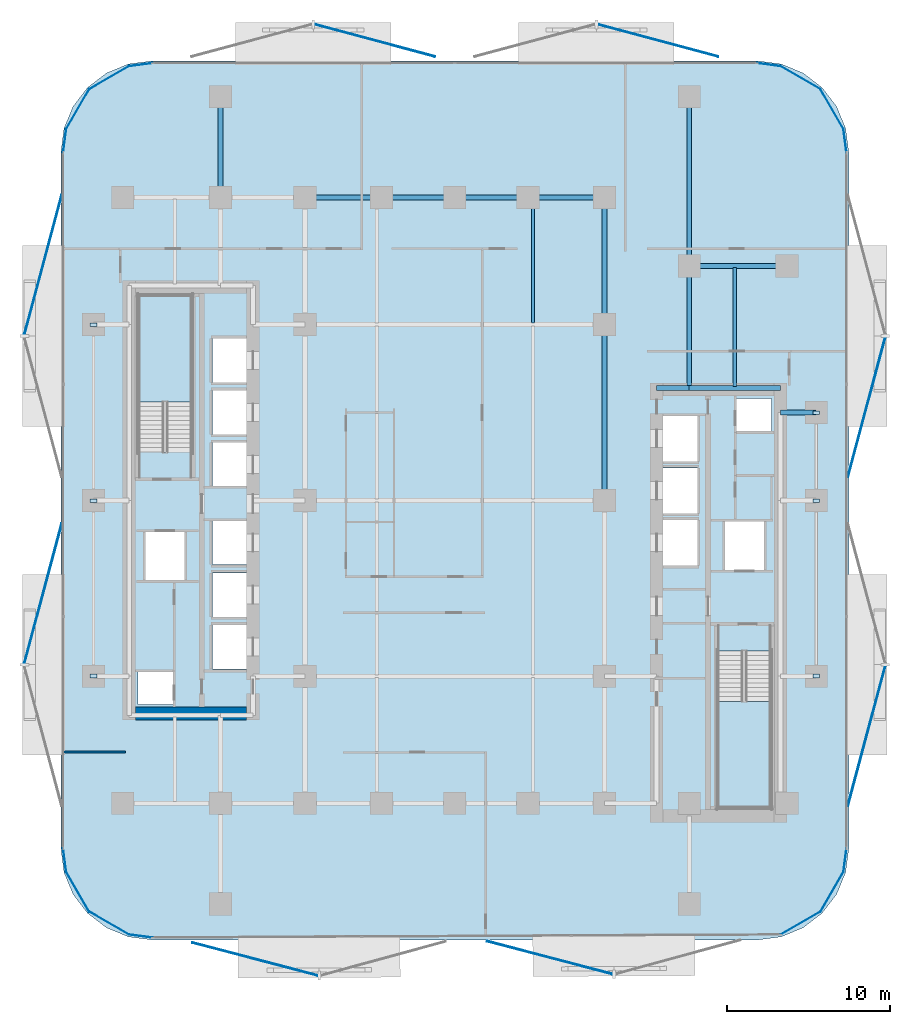
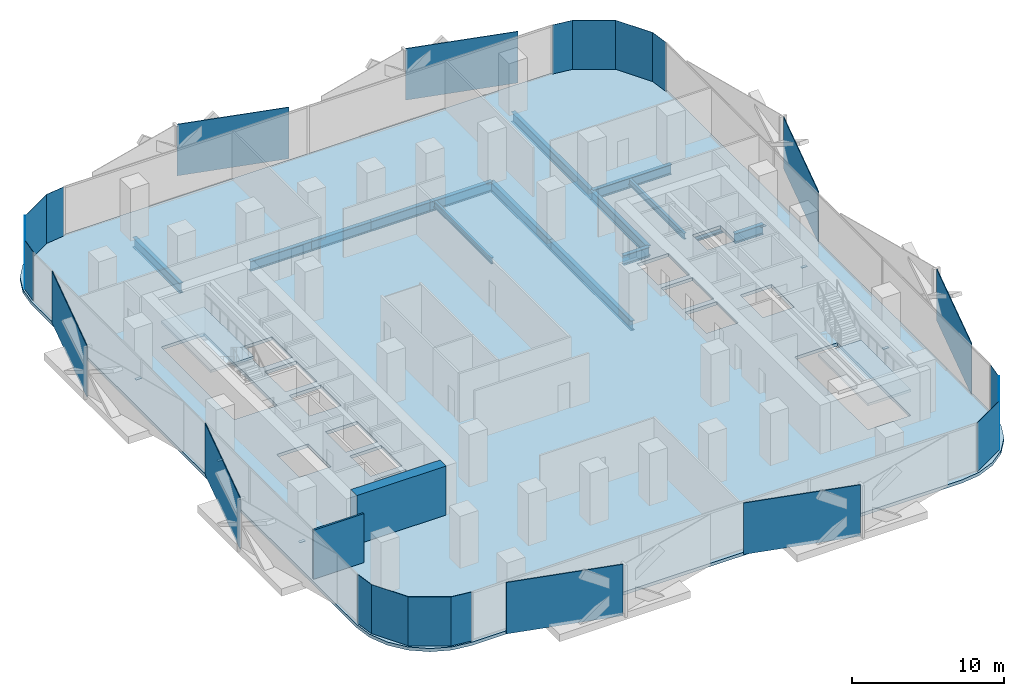
# One storey, part 2 of 15: 29 plates, 15 beams, 3 slabs, 2 walls, 2 elements without a shape of their own.
"""IFC4 building model written with IfcOpenShell, lengths in metres."""

from ifc_helpers import new_model, si_unit, direction, frame, frame_2d, origin, origin_2d, place, context, subcontext, project, spatial, polyline, rectangle, i_section, outline, extrude, material, layer, layer_set, material_profile, profile_set, type_object, element, aggregate, save


model = new_model("IFC4")

# Units and contexts
model_context = context("Model", 3, precision=1e-05, world=origin(), true_north=direction((0.0, 1.0)))
body_context = subcontext(model_context, "Body", "Model", "MODEL_VIEW")
ifc_project = project(units=[si_unit("LENGTHUNIT", "METRE"), si_unit("AREAUNIT", "SQUARE_METRE"), si_unit("VOLUMEUNIT", "CUBIC_METRE"), si_unit("PLANEANGLEUNIT", "RADIAN"), si_unit("MASSUNIT", "GRAM", prefix="KILO")], contexts=[model_context])

# Site, building, storey
site_placement = place(None, origin())
site = spatial("IfcSite", under=ifc_project, at=site_placement, CompositionType="ELEMENT")
building_placement = place(site_placement, origin())
building = spatial("IfcBuilding", under=site, at=building_placement, Name="Khairoan Windgate Tower", CompositionType="ELEMENT")
storey_placement = place(building_placement, frame((0.0, 0.0, 68.0)))
storey = spatial("IfcBuildingStorey", under=building, at=storey_placement, Name="L16", CompositionType="ELEMENT", Elevation=68.0)

# Beams
ifc_material_1 = material(Name="Steel S355", Category="steel")
ifc_material_profile_1 = material_profile(ifc_material_1, i_section(OverallWidth=0.300048828125, OverallDepth=0.800048828125, WebThickness=0.013916015625, FlangeThickness=0.02587890625, FilletRadius=0.028076171875, at=origin_2d()))
ifc_profile_set_1 = profile_set([ifc_material_profile_1], Name="Steel S355")
beam_type_1 = type_object("IfcBeamType", Name="Beam B-G2 H800x300x14x26", PredefinedType="BEAM", material=ifc_profile_set_1)
beam_1_placement = place(storey_placement, frame((20.0, 5.39990234375, -0.659912109375), z_axis=(1.0, 0.0, 0.0), x_axis=(0.0, 1.0, 0.0)))
element("IfcBeam", 1, at=beam_1_placement, inside=storey, type_object=beam_type_1, Name="L16 E-W Primary Girder 19", PredefinedType="BEAM", context=body_context, shape_type="SweptSolid", body=[
    extrude(i_section(OverallWidth=0.300048828125, OverallDepth=0.800048828125, WebThickness=0.013916015625, FlangeThickness=0.02587890625, FilletRadius=0.028076171875, at=origin_2d()), origin(), (0.0, 0.0, 1.0), 2.199951171875),
])
beam_2_placement = place(storey_placement, frame((12.39990234375, 6.89990234375, -0.659912109375), z_axis=(1.0, 0.0, 0.0), x_axis=(0.0, 1.0, 0.0)))
element("IfcBeam", 2, at=beam_2_placement, inside=storey, type_object=beam_type_1, Name="L16 E-W Primary Girder 20", PredefinedType="BEAM", context=body_context, shape_type="SweptSolid", body=[
    extrude(i_section(OverallWidth=0.300048828125, OverallDepth=0.800048828125, WebThickness=0.013916015625, FlangeThickness=0.02587890625, FilletRadius=0.028076171875, at=origin_2d()), origin(), (0.0, 0.0, 1.0), 2.0),
])
beam_3_placement = place(storey_placement, frame((14.39990234375, 6.89990234375, -0.659912109375), z_axis=(1.0, 0.0, 0.0), x_axis=(0.0, 1.0, 0.0)))
element("IfcBeam", 3, at=beam_3_placement, inside=storey, type_object=beam_type_1, Name="L16 E-W Primary Girder 21", PredefinedType="BEAM", context=body_context, shape_type="SweptSolid", body=[
    extrude(i_section(OverallWidth=0.300048828125, OverallDepth=0.800048828125, WebThickness=0.013916015625, FlangeThickness=0.02587890625, FilletRadius=0.028076171875, at=origin_2d()), origin(), (0.0, 0.0, 1.0), 5.60009765625),
])
beam_4_placement = place(storey_placement, frame((14.39990234375, 14.39990234375, -0.659912109375), z_axis=(1.0, 0.0, 0.0), x_axis=(0.0, 1.0, 0.0)))
element("IfcBeam", 4, at=beam_4_placement, inside=storey, type_object=beam_type_1, Name="L16 E-W Primary Girder 27", PredefinedType="BEAM", context=body_context, shape_type="SweptSolid", body=[
    extrude(i_section(OverallWidth=0.300048828125, OverallDepth=0.800048828125, WebThickness=0.013916015625, FlangeThickness=0.02587890625, FilletRadius=0.028076171875, at=origin_2d()), origin(), (0.0, 0.0, 1.0), 6.0),
])
beam_5_placement = place(storey_placement, frame((-9.199951171875, 18.60009765625, -0.659912109375), z_axis=(1.0, 0.0, 0.0), x_axis=(0.0, 1.0, 0.0)))
element("IfcBeam", 5, at=beam_5_placement, inside=storey, type_object=beam_type_1, Name="L16 E-W Primary Girder 30", PredefinedType="BEAM", context=body_context, shape_type="SweptSolid", body=[
    extrude(i_section(OverallWidth=0.300048828125, OverallDepth=0.800048828125, WebThickness=0.013916015625, FlangeThickness=0.02587890625, FilletRadius=0.028076171875, at=origin_2d()), origin(), (0.0, 0.0, 1.0), 4.699951171875),
])
for number, where, z_axis, x_axis, name in (
    (6, (-4.5, 18.60009765625, -0.659912109375), (1.0, 0.0, 0.0), (0.0, 1.0, 0.0), "L16 E-W Primary Girder 31"),
    (7, (0.0, 18.60009765625, -0.659912109375), (1.0, 0.0, 0.0), (0.0, 1.0, 0.0), "L16 E-W Primary Girder 32"),
):
    element("IfcBeam", number, at=place(storey_placement, frame(where, z_axis=z_axis, x_axis=x_axis)), inside=storey, type_object=beam_type_1, Name=name, PredefinedType="BEAM", context=body_context, shape_type="SweptSolid", body=[
        extrude(i_section(OverallWidth=0.300048828125, OverallDepth=0.800048828125, WebThickness=0.013916015625, FlangeThickness=0.02587890625, FilletRadius=0.028076171875, at=origin_2d()), origin(), (0.0, 0.0, 1.0), 4.5),
    ])
beam_6_placement = place(storey_placement, frame((4.5, 18.60009765625, -0.659912109375), z_axis=(1.0, 0.0, 0.0), x_axis=(0.0, 1.0, 0.0)))
element("IfcBeam", 8, at=beam_6_placement, inside=storey, type_object=beam_type_1, Name="L16 E-W Primary Girder 33", PredefinedType="BEAM", context=body_context, shape_type="SweptSolid", body=[
    extrude(i_section(OverallWidth=0.300048828125, OverallDepth=0.800048828125, WebThickness=0.013916015625, FlangeThickness=0.02587890625, FilletRadius=0.028076171875, at=origin_2d()), origin(), (0.0, 0.0, 1.0), 4.699951171875),
])
beam_7_placement = place(storey_placement, frame((-14.39990234375, 18.60009765625, -0.659912109375), z_axis=(0.0, 1.0, 0.0), x_axis=(-1.0, 0.0, 0.0)))
element("IfcBeam", 9, at=beam_7_placement, inside=storey, type_object=beam_type_1, Name="L16 N-S Primary Beam 43", PredefinedType="BEAM", context=body_context, shape_type="SweptSolid", body=[
    extrude(i_section(OverallWidth=0.300048828125, OverallDepth=0.800048828125, WebThickness=0.013916015625, FlangeThickness=0.02587890625, FilletRadius=0.028076171875, at=origin_2d()), origin(), (0.0, 0.0, 1.0), 6.199951171875),
])
beam_8_placement = place(storey_placement, frame((9.199951171875, 0.0, -0.659912109375), z_axis=(0.0, 1.0, 0.0), x_axis=(-1.0, 0.0, 0.0)))
element("IfcBeam", 10, at=beam_8_placement, inside=storey, type_object=beam_type_1, Name="L16 N-S Primary Beam 52", PredefinedType="BEAM", context=body_context, shape_type="SweptSolid", body=[
    extrude(i_section(OverallWidth=0.300048828125, OverallDepth=0.800048828125, WebThickness=0.013916015625, FlangeThickness=0.02587890625, FilletRadius=0.028076171875, at=origin_2d()), origin(), (0.0, 0.0, 1.0), 10.800048828125),
])
beam_9_placement = place(storey_placement, frame((9.199951171875, 10.800048828125, -0.659912109375), z_axis=(0.0, 1.0, 0.0), x_axis=(-1.0, 0.0, 0.0)))
element("IfcBeam", 11, at=beam_9_placement, inside=storey, type_object=beam_type_1, Name="L16 N-S Primary Beam 53", PredefinedType="BEAM", context=body_context, shape_type="SweptSolid", body=[
    extrude(i_section(OverallWidth=0.300048828125, OverallDepth=0.800048828125, WebThickness=0.013916015625, FlangeThickness=0.02587890625, FilletRadius=0.028076171875, at=origin_2d()), origin(), (0.0, 0.0, 1.0), 7.800048828125),
])
beam_10_placement = place(storey_placement, frame((14.39990234375, 6.89990234375, -0.659912109375), z_axis=(0.0, 1.0, 0.0), x_axis=(-1.0, 0.0, 0.0)))
element("IfcBeam", 12, at=beam_10_placement, inside=storey, type_object=beam_type_1, Name="L16 N-S Primary Beam 56", PredefinedType="BEAM", context=body_context, shape_type="SweptSolid", body=[
    extrude(i_section(OverallWidth=0.300048828125, OverallDepth=0.800048828125, WebThickness=0.013916015625, FlangeThickness=0.02587890625, FilletRadius=0.028076171875, at=origin_2d()), origin(), (0.0, 0.0, 1.0), 7.5),
])
beam_11_placement = place(storey_placement, frame((14.39990234375, 14.39990234375, -0.659912109375), z_axis=(0.0, 1.0, 0.0), x_axis=(-1.0, 0.0, 0.0)))
element("IfcBeam", 13, at=beam_11_placement, inside=storey, type_object=beam_type_1, Name="L16 N-S Primary Beam 57", PredefinedType="BEAM", context=body_context, shape_type="SweptSolid", body=[
    extrude(i_section(OverallWidth=0.300048828125, OverallDepth=0.800048828125, WebThickness=0.013916015625, FlangeThickness=0.02587890625, FilletRadius=0.028076171875, at=origin_2d()), origin(), (0.0, 0.0, 1.0), 10.400146484375),
])
ifc_material_2 = material(Name="Steel S355", Category="steel")
ifc_material_profile_2 = material_profile(ifc_material_2, i_section(OverallWidth=0.199951171875, OverallDepth=0.5, WebThickness=0.010009765625, FlangeThickness=0.01611328125, FilletRadius=0.02001953125, at=origin_2d()))
ifc_profile_set_2 = profile_set([ifc_material_profile_2], Name="Steel S355")
beam_type_2 = type_object("IfcBeamType", Name="Beam J-S2 H500x200x10x16", PredefinedType="JOIST", material=ifc_profile_set_2)
beam_12_placement = place(storey_placement, frame((4.800048828125, 10.889892578125, -0.510009765625), z_axis=(0.0, 1.0, 0.0), x_axis=(-1.0, 0.0, 0.0)))
element("IfcBeam", 14, at=beam_12_placement, inside=storey, type_object=beam_type_2, Name="L16 Secondary Floor Joist 10", PredefinedType="JOIST", context=body_context, shape_type="SweptSolid", body=[
    extrude(i_section(OverallWidth=0.199951171875, OverallDepth=0.5, WebThickness=0.010009765625, FlangeThickness=0.01611328125, FilletRadius=0.02001953125, at=origin_2d()), origin(), (0.0, 0.0, 1.0), 7.6201171875),
])
beam_13_placement = place(storey_placement, frame((17.199951171875, 6.989990234375, -0.510009765625), z_axis=(0.0, 1.0, 0.0), x_axis=(-1.0, 0.0, 0.0)))
element("IfcBeam", 15, at=beam_13_placement, inside=storey, type_object=beam_type_2, Name="L16 Secondary Floor Joist 11", PredefinedType="JOIST", context=body_context, shape_type="SweptSolid", body=[
    extrude(i_section(OverallWidth=0.199951171875, OverallDepth=0.5, WebThickness=0.010009765625, FlangeThickness=0.01611328125, FilletRadius=0.02001953125, at=origin_2d()), origin(), (0.0, 0.0, 1.0), 7.320068359375),
])

# Plates
ifc_material_3 = material(Name="Low-E Solar Control Laminated Glass", Category="glass")
ifc_layer_1 = layer(ifc_material_3, 0.030029296875, Name="Low-E Solar Control Laminated Glass")
ifc_layer_set_1 = layer_set([ifc_layer_1], Name="Low-E Solar Control Laminated Glass")
plate_type_1 = type_object("IfcPlateType", Name="Aerodynamic Wind-Corner Curved Glazing Plate", PredefinedType="USERDEFINED", material=ifc_layer_set_1)
plate_placement = place(storey_placement, frame((-19.302001953125, -26.766357421875, 0.0), z_axis=(0.0, 0.0, 1.0), x_axis=(-0.991444861374, 0.13052619222, 0.0)))
element("IfcPlate", 16, at=plate_placement, inside=storey, type_object=plate_type_1, Name="L16 Aerodynamic Wind-Corner Curved Glazing Panel 2", ObjectType="GLAZING PANEL", PredefinedType="USERDEFINED", context=body_context, shape_type="SweptSolid", body=[
    extrude(rectangle(XDim=1.474365234375, YDim=0.028076171875, at=origin_2d()), origin(), (0.0, 0.0, 1.0), 3.93994140625),
])
for number, where, z_axis, x_axis, name in (
    (17, (-21.236328125, -25.96630859375, 0.0), (0.0, 0.0, 1.0), (-0.866025403784, 0.5, 0.0), "L16 Aerodynamic Wind-Corner Curved Glazing Panel 3"),
    (18, (-23.16650390625, -24.03662109375, 0.0), (0.0, 0.0, 1.0), (-0.5, 0.866025403784, 0.0), "L16 Aerodynamic Wind-Corner Curved Glazing Panel 4"),
):
    element("IfcPlate", number, at=place(storey_placement, frame(where, z_axis=z_axis, x_axis=x_axis)), inside=storey, type_object=plate_type_1, Name=name, ObjectType="GLAZING PANEL", PredefinedType="USERDEFINED", context=body_context, shape_type="SweptSolid", body=[
        extrude(rectangle(XDim=2.86572265625, YDim=0.028076171875, at=origin_2d()), origin(), (0.0, 0.0, 1.0), 3.93994140625),
    ])
for number, where, z_axis, x_axis, name in (
    (19, (-23.96630859375, -22.101806640625, 0.0), (0.0, 0.0, 1.0), (-0.13052619222, 0.991444861374, 0.0), "L16 Aerodynamic Wind-Corner Curved Glazing Panel 5"),
    (20, (-23.96630859375, 22.101806640625, 0.0), (0.0, 0.0, 1.0), (0.13052619222, 0.991444861374, 0.0), "L16 Aerodynamic Wind-Corner Curved Glazing Panel 7"),
):
    element("IfcPlate", number, at=place(storey_placement, frame(where, z_axis=z_axis, x_axis=x_axis)), inside=storey, type_object=plate_type_1, Name=name, ObjectType="GLAZING PANEL", PredefinedType="USERDEFINED", context=body_context, shape_type="SweptSolid", body=[
        extrude(rectangle(XDim=1.474365234375, YDim=0.028076171875, at=origin_2d()), origin(), (0.0, 0.0, 1.0), 3.93994140625),
    ])
for number, where, z_axis, x_axis, name in (
    (21, (-23.16650390625, 24.03662109375, 0.0), (0.0, 0.0, 1.0), (0.5, 0.866025403784, 0.0), "L16 Aerodynamic Wind-Corner Curved Glazing Panel 8"),
    (22, (-21.236328125, 25.96630859375, 0.0), (0.0, 0.0, 1.0), (0.866025403784, 0.5, 0.0), "L16 Aerodynamic Wind-Corner Curved Glazing Panel 9"),
):
    element("IfcPlate", number, at=place(storey_placement, frame(where, z_axis=z_axis, x_axis=x_axis)), inside=storey, type_object=plate_type_1, Name=name, ObjectType="GLAZING PANEL", PredefinedType="USERDEFINED", context=body_context, shape_type="SweptSolid", body=[
        extrude(rectangle(XDim=2.86572265625, YDim=0.028076171875, at=origin_2d()), origin(), (0.0, 0.0, 1.0), 3.93994140625),
    ])
for number, where, z_axis, x_axis, name in (
    (23, (-19.302001953125, 26.766357421875, 0.0), (0.0, 0.0, 1.0), (0.991444861374, 0.13052619222, 0.0), "L16 Aerodynamic Wind-Corner Curved Glazing Panel 10"),
    (24, (19.302001953125, 26.766357421875, 0.0), (0.0, 0.0, 1.0), (0.991444861374, -0.13052619222, 0.0), "L16 Aerodynamic Wind-Corner Curved Glazing Panel 12"),
):
    element("IfcPlate", number, at=place(storey_placement, frame(where, z_axis=z_axis, x_axis=x_axis)), inside=storey, type_object=plate_type_1, Name=name, ObjectType="GLAZING PANEL", PredefinedType="USERDEFINED", context=body_context, shape_type="SweptSolid", body=[
        extrude(rectangle(XDim=1.474365234375, YDim=0.028076171875, at=origin_2d()), origin(), (0.0, 0.0, 1.0), 3.93994140625),
    ])
for number, where, z_axis, x_axis, name in (
    (25, (21.236328125, 25.96630859375, 0.0), (0.0, 0.0, 1.0), (0.866025403784, -0.5, 0.0), "L16 Aerodynamic Wind-Corner Curved Glazing Panel 13"),
    (26, (23.16650390625, 24.03662109375, 0.0), (0.0, 0.0, 1.0), (0.5, -0.866025403784, 0.0), "L16 Aerodynamic Wind-Corner Curved Glazing Panel 14"),
):
    element("IfcPlate", number, at=place(storey_placement, frame(where, z_axis=z_axis, x_axis=x_axis)), inside=storey, type_object=plate_type_1, Name=name, ObjectType="GLAZING PANEL", PredefinedType="USERDEFINED", context=body_context, shape_type="SweptSolid", body=[
        extrude(rectangle(XDim=2.86572265625, YDim=0.028076171875, at=origin_2d()), origin(), (0.0, 0.0, 1.0), 3.93994140625),
    ])
for number, where, z_axis, x_axis, name in (
    (27, (23.96630859375, 22.101806640625, 0.0), (0.0, 0.0, 1.0), (0.13052619222, -0.991444861374, 0.0), "L16 Aerodynamic Wind-Corner Curved Glazing Panel 15"),
    (28, (23.96630859375, -22.101806640625, 0.0), (0.0, 0.0, 1.0), (-0.13052619222, -0.991444861374, 0.0), "L16 Aerodynamic Wind-Corner Curved Glazing Panel 17"),
):
    element("IfcPlate", number, at=place(storey_placement, frame(where, z_axis=z_axis, x_axis=x_axis)), inside=storey, type_object=plate_type_1, Name=name, ObjectType="GLAZING PANEL", PredefinedType="USERDEFINED", context=body_context, shape_type="SweptSolid", body=[
        extrude(rectangle(XDim=1.474365234375, YDim=0.028076171875, at=origin_2d()), origin(), (0.0, 0.0, 1.0), 3.93994140625),
    ])
for number, where, z_axis, x_axis, name in (
    (29, (23.16650390625, -24.03662109375, 0.0), (0.0, 0.0, 1.0), (-0.5, -0.866025403784, 0.0), "L16 Aerodynamic Wind-Corner Curved Glazing Panel 18"),
    (30, (21.236328125, -25.96630859375, 0.0), (0.0, 0.0, 1.0), (-0.866025403784, -0.5, 0.0), "L16 Aerodynamic Wind-Corner Curved Glazing Panel 19"),
):
    element("IfcPlate", number, at=place(storey_placement, frame(where, z_axis=z_axis, x_axis=x_axis)), inside=storey, type_object=plate_type_1, Name=name, ObjectType="GLAZING PANEL", PredefinedType="USERDEFINED", context=body_context, shape_type="SweptSolid", body=[
        extrude(rectangle(XDim=2.86572265625, YDim=0.028076171875, at=origin_2d()), origin(), (0.0, 0.0, 1.0), 3.93994140625),
    ])
ifc_material_4 = material(Name="Steel S355", Category="steel")
ifc_layer_2 = layer(ifc_material_4, 0.0400390625, Name="Steel S355")
ifc_layer_set_2 = layer_set([ifc_layer_2], Name="Steel S355")
plate_type_2 = type_object("IfcPlateType", Name="Hollow Section End-Cap Plate PL-CAP40", PredefinedType="SHEET", material=ifc_layer_set_2)
for number, where, z_axis, x_axis, name in (
    (31, (-22.199951171875, -10.784912109375, -0.47998046875), (0.0, 0.0, 1.0), (0.0, 1.0, 0.0), "BM-SP-L16-034 steel end-cap plate 1"),
    (32, (-22.199951171875, -0.014892578125, -0.47998046875), (0.0, 0.0, 1.0), (0.0, 1.0, 0.0), "BM-SP-L16-034 steel end-cap plate 2"),
    (33, (-22.199951171875, 10.784912109375, -0.47998046875), (0.0, 0.0, 1.0), (0.0, 1.0, 0.0), "BM-SP-L16-035 steel end-cap plate 2"),
    (34, (22.199951171875, -10.784912109375, -0.47998046875), (0.0, 0.0, 1.0), (0.0, 1.0, 0.0), "BM-SP-L16-061 steel end-cap plate 1"),
    (35, (22.199951171875, -0.014892578125, -0.47998046875), (0.0, 0.0, 1.0), (0.0, 1.0, 0.0), "BM-SP-L16-061 steel end-cap plate 2"),
    (36, (22.199951171875, 5.385009765625, -0.47998046875), (0.0, 0.0, 1.0), (0.0, 1.0, 0.0), "BM-SP-L16-062 steel end-cap plate 2"),
):
    element("IfcPlate", number, at=place(storey_placement, frame(where, z_axis=z_axis, x_axis=x_axis)), inside=storey, type_object=plate_type_2, Name=name, PredefinedType="SHEET", context=body_context, shape_type="SweptSolid", body=[
        extrude(rectangle(XDim=0.219970703125, YDim=0.419921875, at=origin_2d()), origin(), (0.0, 0.0, 1.0), 0.0400390625),
    ])
ifc_material_5 = material(Name="Anodised Bronze Aluminium 6063-T6", Category="aluminium")
ifc_layer_3 = layer(ifc_material_5, 0.054931640625, Name="Anodised Bronze Aluminium 6063-T6")
ifc_layer_set_3 = layer_set([ifc_layer_3], Name="Anodised Bronze Aluminium 6063-T6")
plate_type_3 = type_object("IfcPlateType", Name="Perforated Bronze Solar Screen Panel BSP-1", PredefinedType="USERDEFINED", material=ifc_layer_set_3)
for number, where, z_axis, x_axis, name in (
    (37, (5.831787109375, -28.0908203125, -0.10009765625), (0.0, 0.0, 1.0), (-0.967179115616, 0.254095569259, 0.0), "L16 Perforated Bronze Solar Screen Panel 81R"),
    (38, (-12.27001953125, -28.1787109375, -0.10009765625), (0.0, 0.0, 1.0), (-0.967179115616, 0.254095569259, 0.0), "L16 Perforated Bronze Solar Screen Panel 82R"),
):
    element("IfcPlate", number, at=place(storey_placement, frame(where, z_axis=z_axis, x_axis=x_axis)), inside=storey, type_object=plate_type_3, Name=name, ObjectType="SCREEN", PredefinedType="USERDEFINED", context=body_context, shape_type="SweptSolid", body=[
        extrude(rectangle(XDim=7.965087890625, YDim=0.054931640625, at=origin_2d()), origin(), (0.0, 0.0, 1.0), 4.139892578125),
    ])
for number, where, z_axis, x_axis, name in (
    (39, (-25.290283203125, -5.71484375, -0.10009765625), (0.0, 0.0, 1.0), (0.258819045103, 0.965925826289, 0.0), "L16 Perforated Bronze Solar Screen Panel 83R"),
    (40, (-25.290283203125, 14.47607421875, -0.10009765625), (0.0, 0.0, 1.0), (0.258819045103, 0.965925826289, 0.0), "L16 Perforated Bronze Solar Screen Panel 84R"),
):
    element("IfcPlate", number, at=place(storey_placement, frame(where, z_axis=z_axis, x_axis=x_axis)), inside=storey, type_object=plate_type_3, Name=name, ObjectType="SCREEN", PredefinedType="USERDEFINED", context=body_context, shape_type="SweptSolid", body=[
        extrude(rectangle(XDim=8.884033203125, YDim=0.054931640625, at=origin_2d()), origin(), (0.0, 0.0, 1.0), 4.139892578125),
    ])
for number, where, z_axis, x_axis, name in (
    (41, (-4.909912109375, 28.249755859375, -0.10009765625), (0.0, 0.0, 1.0), (0.965925826289, -0.258819045103, 0.0), "L16 Perforated Bronze Solar Screen Panel 85R"),
    (42, (12.48095703125, 28.249755859375, -0.10009765625), (0.0, 0.0, 1.0), (0.965925826289, -0.258819045103, 0.0), "L16 Perforated Bronze Solar Screen Panel 86R"),
):
    element("IfcPlate", number, at=place(storey_placement, frame(where, z_axis=z_axis, x_axis=x_axis)), inside=storey, type_object=plate_type_3, Name=name, ObjectType="SCREEN", PredefinedType="USERDEFINED", context=body_context, shape_type="SweptSolid", body=[
        extrude(rectangle(XDim=7.652099609375, YDim=0.054931640625, at=origin_2d()), origin(), (0.0, 0.0, 1.0), 4.139892578125),
    ])
for number, where, z_axis, x_axis, name in (
    (43, (25.290283203125, 5.71484375, -0.10009765625), (0.0, 0.0, 1.0), (-0.258819045103, -0.965925826289, 0.0), "L16 Perforated Bronze Solar Screen Panel 87R"),
    (44, (25.290283203125, -14.47607421875, -0.10009765625), (0.0, 0.0, 1.0), (-0.258819045103, -0.965925826289, 0.0), "L16 Perforated Bronze Solar Screen Panel 88R"),
):
    element("IfcPlate", number, at=place(storey_placement, frame(where, z_axis=z_axis, x_axis=x_axis)), inside=storey, type_object=plate_type_3, Name=name, ObjectType="SCREEN", PredefinedType="USERDEFINED", context=body_context, shape_type="SweptSolid", body=[
        extrude(rectangle(XDim=8.884033203125, YDim=0.054931640625, at=origin_2d()), origin(), (0.0, 0.0, 1.0), 4.139892578125),
    ])

# Stair, slab
ifc_material_6 = material(Name="Concrete C40/50", Category="concrete")
stair_type = type_object("IfcStairType", Name="Tower Core Dog-Leg Stair ST-T1 1560mm", PredefinedType="HALF_TURN_STAIR", material=ifc_material_6)
stair_1_placement = place(storey_placement, origin())
stair_1 = element("IfcStair", 45, at=stair_1_placement, inside=storey, type_object=stair_type, Name="L16 Stair ST1", PredefinedType="HALF_TURN_STAIR")
ifc_material_7 = material(Name="Concrete C40/50", Category="concrete")
ifc_layer_4 = layer(ifc_material_7, 0.199951171875, Name="Concrete C40/50")
ifc_layer_set_4 = layer_set([ifc_layer_4], Name="Concrete C40/50")
slab_type_1 = type_object("IfcSlabType", Name="Reinforced Concrete Stair Landing Slab STL-200", PredefinedType="LANDING", material=ifc_layer_set_4)
slab_1_placement = place(storey_placement, frame((0.0, 0.0, 1.89990234375)))
slab_1 = element("IfcSlab", 46, at=slab_1_placement, type_object=slab_type_1, Name="ST1 landing 1", PredefinedType="LANDING", context=body_context, shape_type="SweptSolid", body=[
    extrude(outline(polyline([(16.14990234375, -12.340087890625), (16.14990234375, -18.89990234375), (19.419921875, -18.89990234375), (19.419921875, -12.340087890625), (16.14990234375, -12.340087890625)])), origin(), (0.0, 0.0, 1.0), 0.2001953125),
])
aggregate(stair_1, [slab_1])

stair_2_placement = place(storey_placement, origin())
stair_2 = element("IfcStair", 47, at=stair_2_placement, inside=storey, type_object=stair_type, Name="L16 Stair ST2", PredefinedType="HALF_TURN_STAIR")
slab_2_placement = place(storey_placement, frame((0.0, 0.0, 1.89990234375)))
slab_2 = element("IfcSlab", 48, at=slab_2_placement, type_object=slab_type_1, Name="ST2 landing 1", PredefinedType="LANDING", context=body_context, shape_type="SweptSolid", body=[
    extrude(outline(polyline([(-16.14990234375, 6.0400390625), (-16.14990234375, 12.60009765625), (-19.419921875, 12.60009765625), (-19.419921875, 6.0400390625), (-16.14990234375, 6.0400390625)])), origin(), (0.0, 0.0, 1.0), 0.2001953125),
])
aggregate(stair_2, [slab_2])

# Slab
ifc_material_8 = material(Name="Concrete C40/50", Category="concrete")
ifc_layer_5 = layer(ifc_material_8, 0.260009765625, Name="Concrete C40/50")
ifc_layer_set_5 = layer_set([ifc_layer_5], Name="Concrete C40/50")
slab_type_2 = type_object("IfcSlabType", Name="Tower Composite Floor Slab FS2 260mm", PredefinedType="FLOOR", material=ifc_layer_set_5)
slab_3_placement = place(storey_placement, frame((0.0, 0.0, -0.260009765625)))
element("IfcSlab", 49, at=slab_3_placement, inside=storey, type_object=slab_type_2, Name="L16 Structural Floor Slab", PredefinedType="FLOOR", context=body_context, shape_type="SweptSolid", body=[
    extrude(outline(polyline([(18.60009765625, -27.0), (20.04931640625, -26.80908203125), (21.39990234375, -26.249755859375), (22.559814453125, -25.35986328125), (23.44970703125, -24.199951171875), (24.00927734375, -22.849365234375), (24.199951171875, -21.39990234375), (24.199951171875, 21.39990234375), (24.00927734375, 22.849365234375), (23.44970703125, 24.199951171875), (22.559814453125, 25.35986328125), (21.39990234375, 26.249755859375), (20.04931640625, 26.80908203125), (18.60009765625, 27.0), (-18.60009765625, 27.0), (-20.04931640625, 26.80908203125), (-21.39990234375, 26.249755859375), (-22.559814453125, 25.35986328125), (-23.44970703125, 24.199951171875), (-24.00927734375, 22.849365234375), (-24.199951171875, 21.39990234375), (-24.199951171875, -21.39990234375), (-24.00927734375, -22.849365234375), (-23.44970703125, -24.199951171875), (-22.559814453125, -25.35986328125), (-21.39990234375, -26.249755859375), (-20.04931640625, -26.80908203125), (-18.60009765625, -27.0), (18.60009765625, -27.0)]), holes=[polyline([(16.14990234375, -9.260009765625), (16.14990234375, -18.89990234375), (19.419921875, -18.89990234375), (19.419921875, -9.260009765625), (16.14990234375, -9.260009765625)]), polyline([(-16.14990234375, 2.9599609375), (-16.14990234375, 12.60009765625), (-19.419921875, 12.60009765625), (-19.419921875, 2.9599609375), (-16.14990234375, 2.9599609375)]), polyline([(-14.89990234375, 7.25), (-12.5, 7.25), (-12.5, 9.949951171875), (-14.89990234375, 9.949951171875), (-14.89990234375, 7.25)]), polyline([(-14.89990234375, 4.050048828125), (-12.5, 4.050048828125), (-12.5, 6.75), (-14.89990234375, 6.75), (-14.89990234375, 4.050048828125)]), polyline([(-14.89990234375, 0.85009765625), (-12.5, 0.85009765625), (-12.5, 3.550048828125), (-14.89990234375, 3.550048828125), (-14.89990234375, 0.85009765625)]), polyline([(-14.89990234375, -3.949951171875), (-12.5, -3.949951171875), (-12.5, -1.25), (-14.89990234375, -1.25), (-14.89990234375, -3.949951171875)]), polyline([(-14.89990234375, -7.14990234375), (-12.5, -7.14990234375), (-12.5, -4.449951171875), (-14.89990234375, -4.449951171875), (-14.89990234375, -7.14990234375)]), polyline([(-14.89990234375, -10.35009765625), (-12.5, -10.35009765625), (-12.5, -7.64990234375), (-14.89990234375, -7.64990234375), (-14.89990234375, -10.35009765625)]), polyline([(12.5, 2.39990234375), (14.89990234375, 2.39990234375), (14.89990234375, 5.199951171875), (12.5, 5.199951171875), (12.5, 2.39990234375)]), polyline([(12.5, -0.800048828125), (14.89990234375, -0.800048828125), (14.89990234375, 2.0), (12.5, 2.0), (12.5, -0.800048828125)]), polyline([(12.5, -4.0), (14.89990234375, -4.0), (14.89990234375, -1.199951171875), (12.5, -1.199951171875), (12.5, -4.0)]), polyline([(16.60009765625, -4.300048828125), (19.0, -4.300048828125), (19.0, -1.300048828125), (16.60009765625, -1.300048828125), (16.60009765625, -4.300048828125)]), polyline([(-19.0, -4.89990234375), (-16.60009765625, -4.89990234375), (-16.60009765625, -1.89990234375), (-19.0, -1.89990234375), (-19.0, -4.89990234375)]), polyline([(-19.449951171875, -12.550048828125), (-17.31005859375, -12.550048828125), (-17.31005859375, -10.550048828125), (-19.449951171875, -10.550048828125), (-19.449951171875, -12.550048828125)]), polyline([(17.31005859375, 4.25), (19.449951171875, 4.25), (19.449951171875, 6.25), (17.31005859375, 6.25), (17.31005859375, 4.25)])]), origin(), (0.0, 0.0, 1.0), 0.260009765625),
])

# Walls
ifc_material_9 = material(Name="Acoustic Fire-Rated Gypsum Partition", Category="gypsum")
ifc_layer_6 = layer(ifc_material_9, 0.139892578125, Name="Acoustic Fire-Rated Gypsum Partition")
ifc_layer_set_6 = layer_set([ifc_layer_6], Name="Acoustic Fire-Rated Gypsum Partition")
wall_type_1 = type_object("IfcWallType", Name="Inter-Tenancy Compartment Wall", PredefinedType="PARTITIONING", material=ifc_layer_set_6)
wall_1_placement = place(storey_placement, frame((-24.054931640625, -15.4599609375, 0.0), z_axis=(0.0, 0.0, 1.0), x_axis=(1.0, 0.0, 0.0)))
element("IfcWall", 50, at=wall_1_placement, inside=storey, type_object=wall_type_1, Name="L16 Interior Partition 024", PredefinedType="PARTITIONING", context=body_context, shape_type="SweptSolid", body=[
    extrude(rectangle(XDim=3.81494140625, YDim=0.139892578125, at=frame_2d((1.907470703125, 0.0))), origin(), (0.0, 0.0, 1.0), 3.93994140625),
])
ifc_material_10 = material(Name="Concrete C70/85", Category="concrete")
ifc_layer_7 = layer(ifc_material_10, 0.800048828125, Name="Concrete C70/85")
ifc_layer_set_7 = layer_set([ifc_layer_7], Name="Concrete C70/85")
wall_type_2 = type_object("IfcWallType", Name="Shear Wall CW-W1 800mm", PredefinedType="SHEAR", material=ifc_layer_set_7)
wall_2_placement = place(storey_placement, frame((-19.60009765625, -13.10009765625, 0.0), z_axis=(0.0, 0.0, 1.0), x_axis=(1.0, 0.0, 0.0)))
element("IfcWall", 51, at=wall_2_placement, inside=storey, type_object=wall_type_2, Name="W Core South Shear Wall L16", PredefinedType="SHEAR", context=body_context, shape_type="SweptSolid", body=[
    extrude(rectangle(XDim=6.800048828125, YDim=0.800048828125, at=frame_2d((3.39990234375, 0.0))), origin(), (0.0, 0.0, 1.0), 3.93994140625),
])

save(model, "model.ifc")
